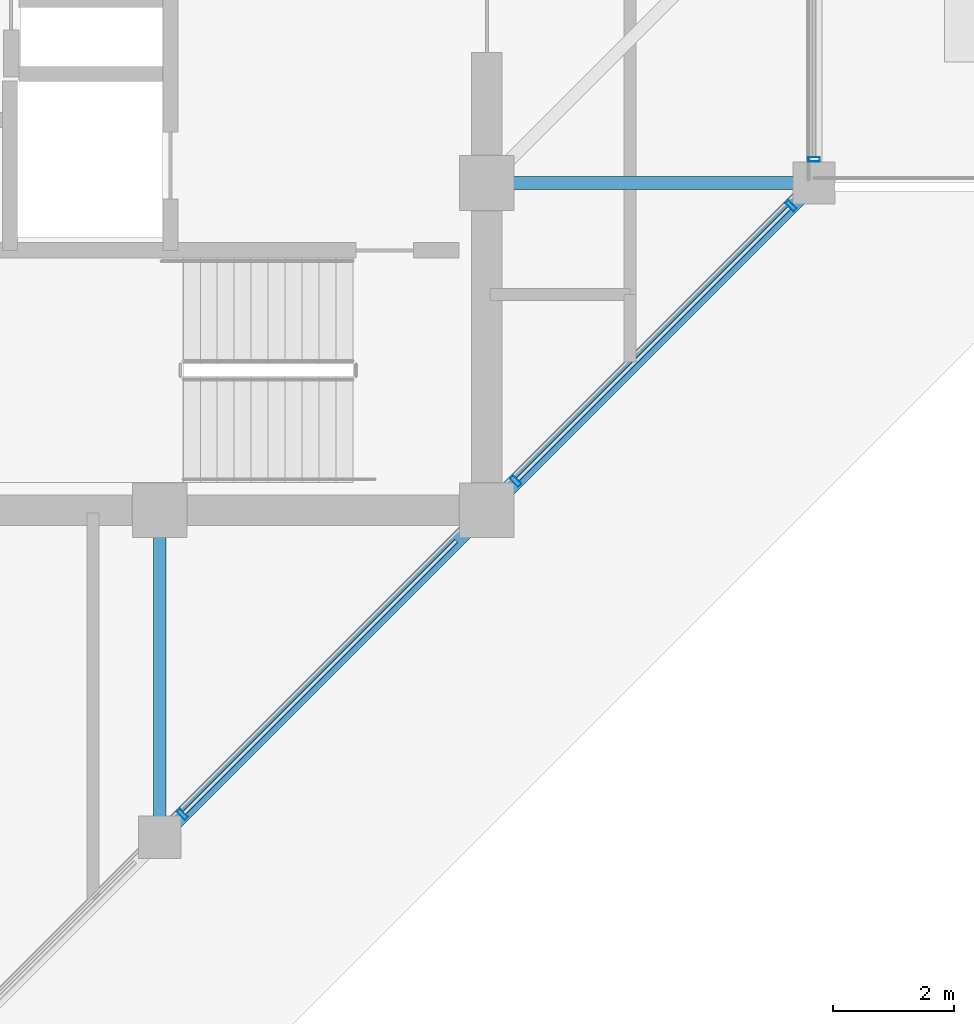
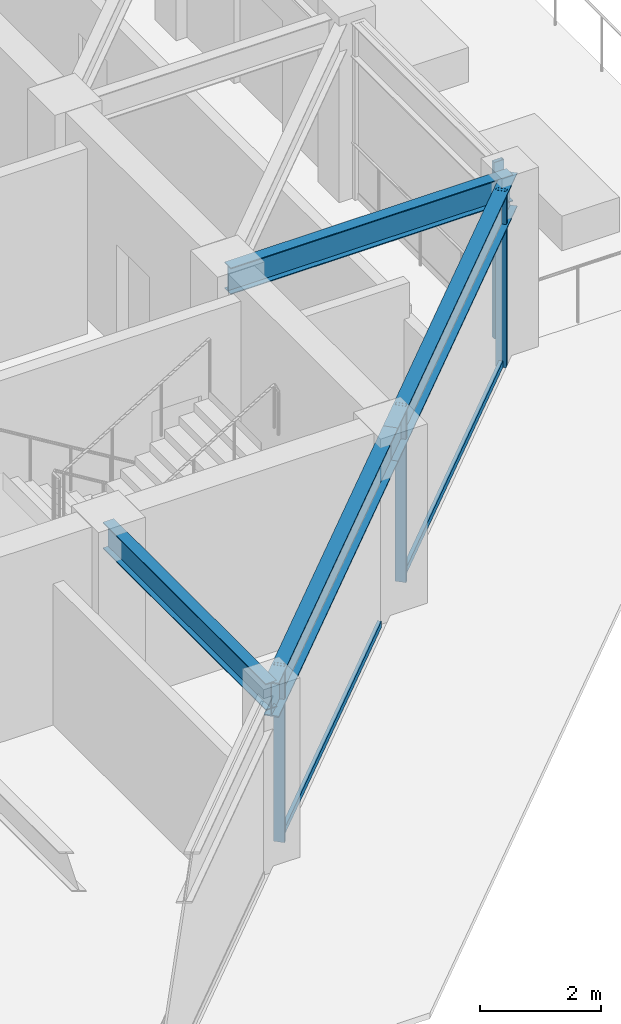
# One storey, part 12 of 34: 6 members, 4 beams, 2 elements without a shape of their own.
"""IFC4 building model written with IfcOpenShell, lengths in metres."""

import ifcopenshell
import ifcopenshell.guid

model = None  # the IFC model being written
_history = None  # IfcOwnerHistory: only IFC2X3 demands one
_inside = {}  # id of a spatial element -> (the spatial element, [elements in it])
_under = {}  # id of a project, library or spatial element -> (it, [spatial elements below it])
_declared = {}  # id of a project -> (the project, [libraries it declares])
_typed = {}  # id of a type object -> (the type object, [elements of that type])
_made_of = {}  # id of a material, layer set ... -> (it, [elements and type objects made of it])


def new_model(schema):
    """Start an empty IFC model of exactly this schema.

    Asked for "IFC4X3", IfcOpenShell would pick the latest addendum, in which some entities
    have other attributes; the version numbers below select the first issue.
    IFC2X3 requires an IfcOwnerHistory on every rooted entity: one is made here for all.
    """
    global model, _history
    if schema == "IFC4X3":
        model = ifcopenshell.file(schema_version=(4, 3, 0, 0))
    else:
        model = ifcopenshell.file(schema=schema)
    _inside.clear()
    _under.clear()
    _declared.clear()
    _typed.clear()
    _made_of.clear()
    _history = None
    if model.schema == "IFC2X3":
        org = make("IfcOrganization", Name="unknown")
        user = make(
            "IfcPersonAndOrganization",
            ThePerson=make("IfcPerson", FamilyName="unknown"),
            TheOrganization=org,
        )
        app = make(
            "IfcApplication",
            ApplicationDeveloper=org,
            Version="unknown",
            ApplicationFullName="unknown",
            ApplicationIdentifier="unknown",
        )
        _history = make(
            "IfcOwnerHistory",
            OwningUser=user,
            OwningApplication=app,
            ChangeAction="ADDED",
            CreationDate=0,
        )
    return model


def make(cls, **values):
    """One entity of the class cls with the attributes given. An attribute that is None is left unset."""
    return model.create_entity(
        cls, **{name: value for name, value in values.items() if value is not None}
    )


def rooted(cls, **values):
    """An entity with a GlobalId (a new one), such as an element, a storey or a relation."""
    return make(cls, GlobalId=ifcopenshell.guid.new(), OwnerHistory=_history, **values)


def si_unit(unit_type, name, prefix=None):
    """IfcSIUnit, for example si_unit("LENGTHUNIT", "METRE", prefix="MILLI")."""
    return make("IfcSIUnit", UnitType=unit_type, Prefix=prefix, Name=name)


def assignment(units):
    """IfcUnitAssignment: the units of a project."""
    return None if units is None else make("IfcUnitAssignment", Units=units)


def point(xyz):
    """IfcCartesianPoint."""
    return None if xyz is None else make("IfcCartesianPoint", Coordinates=xyz)


def direction(xyz):
    """IfcDirection."""
    return None if xyz is None else make("IfcDirection", DirectionRatios=xyz)


def frame(location, z_axis=None, x_axis=None):
    """IfcAxis2Placement3D, a coordinate frame: its origin and axes. An axis left out is left unset."""
    return make(
        "IfcAxis2Placement3D",
        Location=point(location),
        Axis=direction(z_axis),
        RefDirection=direction(x_axis),
    )


def frame_2d(location, x_axis=None):
    """IfcAxis2Placement2D, a coordinate frame in the plane: its origin and x axis."""
    return make(
        "IfcAxis2Placement2D", Location=point(location), RefDirection=direction(x_axis)
    )


def origin():
    """The frame at (0, 0, 0) with its axes left unset."""
    return frame((0.0, 0.0, 0.0))


def origin_2d():
    """The frame at (0, 0) in the plane with its x axis left unset."""
    return frame_2d((0.0, 0.0))


def place(relative_to, where):
    """IfcLocalPlacement: puts the frame where relative to a parent placement (None: the world)."""
    return make(
        "IfcLocalPlacement", PlacementRelTo=relative_to, RelativePlacement=where
    )


def context(
    kind, dimensions, precision=None, world=None, true_north=None, identifier=None
):
    """IfcGeometricRepresentationContext, for example the 3D "Model" context."""
    return make(
        "IfcGeometricRepresentationContext",
        ContextIdentifier=identifier,
        ContextType=kind,
        CoordinateSpaceDimension=dimensions,
        Precision=precision,
        WorldCoordinateSystem=world,
        TrueNorth=true_north,
    )


def subcontext(parent, identifier, kind, view, scale=None):
    """IfcGeometricRepresentationSubContext, for example "Body" below "Model"."""
    return make(
        "IfcGeometricRepresentationSubContext",
        ContextIdentifier=identifier,
        ContextType=kind,
        ParentContext=parent,
        TargetScale=scale,
        TargetView=view,
    )


def project(units=None, contexts=None):
    """IfcProject with its units and contexts."""
    return rooted(
        "IfcProject",
        Name="project",
        RepresentationContexts=contexts,
        UnitsInContext=assignment(units),
    )


def spatial(cls, under=None, at=None, **own):
    """A site, building, storey or space (cls), placed at a placement, below another one or the project."""
    s = rooted(cls, ObjectPlacement=at, **own)
    if under is not None:
        _under.setdefault(under.id(), (under, []))[1].append(s)
    return s


def profile(cls, at=None, kind="AREA", **sizes):
    """A parametric profile (cls). Its sizes go by their IFC names, for example OverallWidth=200.0."""
    return make(cls, ProfileType=kind, Position=at, **sizes)


def hollow_rectangle(**sizes):
    """IfcRectangleHollowProfileDef."""
    return profile("IfcRectangleHollowProfileDef", **sizes)


def i_section(**sizes):
    """IfcIShapeProfileDef."""
    return profile("IfcIShapeProfileDef", **sizes)


def extrude(swept, where, along, depth):
    """IfcExtrudedAreaSolid: the profile swept, set in the frame where, extruded along a direction by depth."""
    return make(
        "IfcExtrudedAreaSolid",
        SweptArea=swept,
        Position=where,
        ExtrudedDirection=direction(along),
        Depth=depth,
    )


def shape(context_of_items, identifier, shape_type, items):
    """IfcShapeRepresentation: the items that make up one representation, for example the "Body"."""
    return make(
        "IfcShapeRepresentation",
        ContextOfItems=context_of_items,
        RepresentationIdentifier=identifier,
        RepresentationType=shape_type,
        Items=items,
    )


def material(Name=None, Category=None):
    """IfcMaterial."""
    return make("IfcMaterial", Name=Name, Category=Category)


def layer(
    of_material, thickness, ventilated=None, Name=None, Category=None, Priority=None
):
    """IfcMaterialLayer: one layer of a wall or slab, of a material (None: an air gap)."""
    return make(
        "IfcMaterialLayer",
        Material=of_material,
        LayerThickness=thickness,
        IsVentilated=ventilated,
        Name=Name,
        Category=Category,
        Priority=Priority,
    )


def layer_set(layers, Name=None):
    """IfcMaterialLayerSet."""
    return make("IfcMaterialLayerSet", MaterialLayers=layers, LayerSetName=Name)


def material_profile(
    of_material, cross_section, Name=None, Category=None, Priority=None
):
    """IfcMaterialProfile: a cross section and its material."""
    return make(
        "IfcMaterialProfile",
        Name=Name,
        Material=of_material,
        Profile=cross_section,
        Priority=Priority,
        Category=Category,
    )


def profile_set(profiles, Name=None, composite=None):
    """IfcMaterialProfileSet."""
    return make(
        "IfcMaterialProfileSet",
        Name=Name,
        MaterialProfiles=profiles,
        CompositeProfile=composite,
    )


def made_of(thing, what):
    """Note that an element or type object is made of a material, layer set ...; save() writes the relation."""
    if what is not None:
        _made_of.setdefault(what.id(), (what, []))[1].append(thing)
    return thing


def type_object(cls, material=None, **own):
    """A type object (cls), such as IfcWallType, which elements share."""
    return made_of(rooted(cls, **own), material)


def element(
    cls,
    number,
    at=None,
    inside=None,
    cuts=None,
    type_object=None,
    material=None,
    context=None,
    identifier="Body",
    shape_type=None,
    held_by="IfcProductDefinitionShape",
    body=None,
    shapes=None,
    **own,
):
    """One element of the class cls, such as IfcWall. Its Tag is "e" and its number.

    at: its placement. inside: the storey or other place that contains it. cuts: it is an
    opening in that element (IfcRelVoidsElement). A single representation is given by context,
    identifier, shape_type and body (its items); several are given by shapes. held_by: the class
    of the entity that holds the representations. save() writes the other relations.
    """
    e = rooted(cls, Tag="e%d" % number, ObjectPlacement=at, **own)
    if body is not None:
        shapes = [shape(context, identifier, shape_type, body)]
    if shapes is not None:
        e.Representation = make(held_by, Representations=shapes)
    if inside is not None:
        _inside.setdefault(inside.id(), (inside, []))[1].append(e)
    if cuts is not None:
        rooted(
            "IfcRelVoidsElement", RelatingBuildingElement=cuts, RelatedOpeningElement=e
        )
    if type_object is not None:
        _typed.setdefault(type_object.id(), (type_object, []))[1].append(e)
    return made_of(e, material)


def aggregate(whole, parts):
    """IfcRelAggregates: a whole, such as a stair, and the parts it consists of."""
    return rooted("IfcRelAggregates", RelatingObject=whole, RelatedObjects=parts)


def save(model, path):
    """Write the relations noted so far, then the file.

    IfcRelAggregates (storeys below a building ...), IfcRelContainedInSpatialStructure (elements
    in a storey), IfcRelDefinesByType, IfcRelAssociatesMaterial and IfcRelDeclares: one each for
    every whole, place, type object, material and project.
    """
    for whole, parts in _under.values():
        aggregate(whole, parts)
    for where, things in _inside.values():
        rooted(
            "IfcRelContainedInSpatialStructure",
            RelatedElements=things,
            RelatingStructure=where,
        )
    for kind, things in _typed.values():
        rooted("IfcRelDefinesByType", RelatedObjects=things, RelatingType=kind)
    for what, things in _made_of.values():
        rooted("IfcRelAssociatesMaterial", RelatedObjects=things, RelatingMaterial=what)
    for by, libraries in _declared.values():
        rooted("IfcRelDeclares", RelatingContext=by, RelatedDefinitions=libraries)
    model.write(path)


model = new_model("IFC4")

# Units and contexts
model_context = context("Model", 3, precision=1e-05, world=origin(), true_north=direction((0.0, 1.0)))
body_context = subcontext(model_context, "Body", "Model", "MODEL_VIEW")
ifc_project = project(units=[si_unit("LENGTHUNIT", "METRE"), si_unit("AREAUNIT", "SQUARE_METRE"), si_unit("VOLUMEUNIT", "CUBIC_METRE"), si_unit("PLANEANGLEUNIT", "RADIAN"), si_unit("MASSUNIT", "GRAM", prefix="KILO")], contexts=[model_context])

# Site, building, storey
site_placement = place(None, origin())
site = spatial("IfcSite", under=ifc_project, at=site_placement, CompositionType="ELEMENT")
building_placement = place(site_placement, origin())
building = spatial("IfcBuilding", under=site, at=building_placement, Name="Surkhivell Harbour Commons", CompositionType="ELEMENT")
storey_placement = place(building_placement, frame((0.0, 0.0, 258.75)))
storey = spatial("IfcBuildingStorey", under=building, at=storey_placement, Name="L67", CompositionType="ELEMENT", Elevation=258.75)

# Beams
ifc_material_1 = material(Name="Steel S355", Category="steel")
ifc_material_profile_1 = material_profile(ifc_material_1, i_section(OverallWidth=0.2099609375, OverallDepth=0.537109375, WebThickness=0.0107421875, FlangeThickness=0.017333984375, at=origin_2d()), Name="UB533x210x101")
ifc_profile_set_1 = profile_set([ifc_material_profile_1], Name="Steel S355")
beam_type_1 = type_object("IfcBeamType", Name="BM-GRD-533B", PredefinedType="BEAM", material=ifc_profile_set_1)
for number, where, z_axis, x_axis, name in (
    (1, (5.39990234375, -16.199951171875, 3.301513671875), (0.0, 1.0, 0.0), (-1.0, 0.0, 0.0), "L67 Floor Girder (5.4,-16.2)"),
    (2, (10.800048828125, -5.39990234375, 3.301513671875), (1.0, 0.0, 0.0), (0.0, 1.0, 0.0), "L67 Floor Girder (10.8,-5.4)"),
):
    element("IfcBeam", number, at=place(storey_placement, frame(where, z_axis=z_axis, x_axis=x_axis)), inside=storey, type_object=beam_type_1, Name=name, PredefinedType="BEAM", context=body_context, shape_type="SweptSolid", body=[
        extrude(i_section(OverallWidth=0.2099609375, OverallDepth=0.537109375, WebThickness=0.0107421875, FlangeThickness=0.017333984375, at=origin_2d()), origin(), (0.0, 0.0, 1.0), 5.39990234375),
    ])
ifc_material_profile_2 = material_profile(ifc_material_1, i_section(OverallWidth=0.256103515625, OverallDepth=0.693115234375, WebThickness=0.014404296875, FlangeThickness=0.023681640625, at=origin_2d()), Name="UB686x254x170")
ifc_profile_set_2 = profile_set([ifc_material_profile_2], Name="Steel S355")
beam_type_2 = type_object("IfcBeamType", Name="BM-SPN-686", PredefinedType="SPANDREL", material=ifc_profile_set_2)
for number, where, z_axis, x_axis, name in (
    (3, (5.39990234375, -16.199951171875, 3.223388671875), (0.707122765516, 0.707090796496, 0.0), (-0.707090796496, 0.707122765516, 0.0), "L67 Tube Spandrel (5.4,-16.2)"),
    (4, (10.800048828125, -10.800048828125, 3.223388671875), (0.707090796496, 0.707122765516, 0.0), (-0.707122765516, 0.707090796496, 0.0), "L67 Tube Spandrel (10.8,-10.8)"),
):
    element("IfcBeam", number, at=place(storey_placement, frame(where, z_axis=z_axis, x_axis=x_axis)), inside=storey, type_object=beam_type_2, Name=name, PredefinedType="SPANDREL", context=body_context, shape_type="SweptSolid", body=[
        extrude(i_section(OverallWidth=0.256103515625, OverallDepth=0.693115234375, WebThickness=0.014404296875, FlangeThickness=0.023681640625, at=origin_2d()), origin(), (0.0, 0.0, 1.0), 7.63671875),
    ])

# Curtain wall, members
ifc_material_2 = material(Name="Anodised pale-metal aluminium and insulated glazing", Category="aluminium")
ifc_layer = layer(ifc_material_2, 0.175048828125)
ifc_layer_set = layer_set([ifc_layer], Name="Anodised pale-metal aluminium and insulated glazing")
curtain_wall_type = type_object("IfcCurtainWallType", Name="CW-SYS-Z4", PredefinedType="NOTDEFINED", material=ifc_layer_set)
curtain_wall_1_placement = place(storey_placement, origin())
curtain_wall_1 = element("IfcCurtainWall", 5, at=curtain_wall_1_placement, inside=storey, type_object=curtain_wall_type, Name="L67 Curtain Wall CW-L67-E01", PredefinedType="NOTDEFINED")
ifc_material_3 = material(Name="Anodised pale-metal aluminium alloy 6063-T6", Category="aluminium")
ifc_material_profile_3 = material_profile(ifc_material_3, hollow_rectangle(XDim=0.074951171875, YDim=0.18994140625, WallThickness=0.00390625, at=origin_2d()), Name="ALU-MULL-75x190")
ifc_profile_set_3 = profile_set([ifc_material_profile_3], Name="Anodised pale-metal aluminium alloy 6063-T6")
member_type_1 = type_object("IfcMemberType", Name="CWM-190", PredefinedType="MULLION", material=ifc_profile_set_3)
member_1_placement = place(storey_placement, frame((5.778076171875, -15.82177734375, 0.0), z_axis=(0.0, 0.0, 1.0), x_axis=(0.707106781187, 0.707106781187, 0.0)))
member_1 = element("IfcMember", 6, at=member_1_placement, type_object=member_type_1, Name="CW-Z4 mullion 2", PredefinedType="MULLION", context=body_context, shape_type="SweptSolid", body=[
    extrude(hollow_rectangle(XDim=0.074951171875, YDim=0.18994140625, WallThickness=0.00390625, at=origin_2d()), origin(), (0.0, 0.0, 1.0), 3.570068359375),
])
member_2_placement = place(storey_placement, frame((11.278076171875, -10.32177734375, 0.0), z_axis=(0.0, 0.0, 1.0), x_axis=(0.707106781187, 0.707106781187, 0.0)))
member_2 = element("IfcMember", 7, at=member_2_placement, type_object=member_type_1, Name="CW-Z4 mullion 3", PredefinedType="MULLION", context=body_context, shape_type="SweptSolid", body=[
    extrude(hollow_rectangle(XDim=0.074951171875, YDim=0.18994140625, WallThickness=0.00390625, at=origin_2d()), origin(), (0.0, 0.0, 1.0), 3.570068359375),
])
member_3_placement = place(storey_placement, frame((15.82177734375, -5.778076171875, 0.0), z_axis=(0.0, 0.0, 1.0), x_axis=(0.707106781187, 0.707106781187, 0.0)))
member_3 = element("IfcMember", 8, at=member_3_placement, type_object=member_type_1, Name="CW-Z4 mullion 4", PredefinedType="MULLION", context=body_context, shape_type="SweptSolid", body=[
    extrude(hollow_rectangle(XDim=0.074951171875, YDim=0.18994140625, WallThickness=0.00390625, at=origin_2d()), origin(), (0.0, 0.0, 1.0), 3.570068359375),
])

# Curtain wall, member
curtain_wall_2_placement = place(storey_placement, origin())
curtain_wall_2 = element("IfcCurtainWall", 9, at=curtain_wall_2_placement, inside=storey, type_object=curtain_wall_type, Name="L67 Curtain Wall CW-L67-E02A", PredefinedType="NOTDEFINED")
member_4_placement = place(storey_placement, frame((16.199951171875, -5.010498046875, 0.0), z_axis=(0.0, 0.0, 1.0), x_axis=(0.0, 1.0, 0.0)))
member_4 = element("IfcMember", 10, at=member_4_placement, type_object=member_type_1, Name="CW-Z4 mullion 1", PredefinedType="MULLION", context=body_context, shape_type="SweptSolid", body=[
    extrude(hollow_rectangle(XDim=0.074951171875, YDim=0.18994140625, WallThickness=0.00390625, at=origin_2d()), origin(), (0.0, 0.0, 1.0), 3.570068359375),
])
aggregate(curtain_wall_2, [member_4])

# Member
ifc_material_4 = material(Name="Champagne anodised aluminium alloy 6063-T6", Category="aluminium")
ifc_material_profile_4 = material_profile(ifc_material_4, hollow_rectangle(XDim=0.070068359375, YDim=0.1298828125, WallThickness=0.00341796875, at=origin_2d()), Name="ALU-TRAN-70x130")
ifc_profile_set_4 = profile_set([ifc_material_profile_4], Name="Champagne anodised aluminium alloy 6063-T6")
member_type_2 = type_object("IfcMemberType", Name="CWT-130", PredefinedType="USERDEFINED", material=ifc_profile_set_4)
member_5_placement = place(storey_placement, frame((5.8046875, -15.79541015625, 0.06494140625), z_axis=(0.707106781187, 0.707106781187, 0.0), x_axis=(-0.707106781187, 0.707106781187, 0.0)))
member_5 = element("IfcMember", 11, at=member_5_placement, type_object=member_type_2, Name="CW-Z4 transom 2.1", ObjectType="TRANSOM", PredefinedType="USERDEFINED", context=body_context, shape_type="SweptSolid", body=[
    extrude(hollow_rectangle(XDim=0.070068359375, YDim=0.1298828125, WallThickness=0.00341796875, at=origin_2d()), origin(), (0.0, 0.0, 1.0), 6.350830078125),
])

member_6_placement = place(storey_placement, frame((11.3046875, -10.29541015625, 0.06494140625), z_axis=(0.707106781187, 0.707106781187, 0.0), x_axis=(-0.707106781187, 0.707106781187, 0.0)))
member_6 = element("IfcMember", 12, at=member_6_placement, type_object=member_type_2, Name="CW-Z4 transom 3.1", ObjectType="TRANSOM", PredefinedType="USERDEFINED", context=body_context, shape_type="SweptSolid", body=[
    extrude(hollow_rectangle(XDim=0.070068359375, YDim=0.1298828125, WallThickness=0.00341796875, at=origin_2d()), origin(), (0.0, 0.0, 1.0), 6.350830078125),
])

aggregate(curtain_wall_1, [member_1, member_5, member_2, member_3, member_6])

save(model, "model.ifc")
